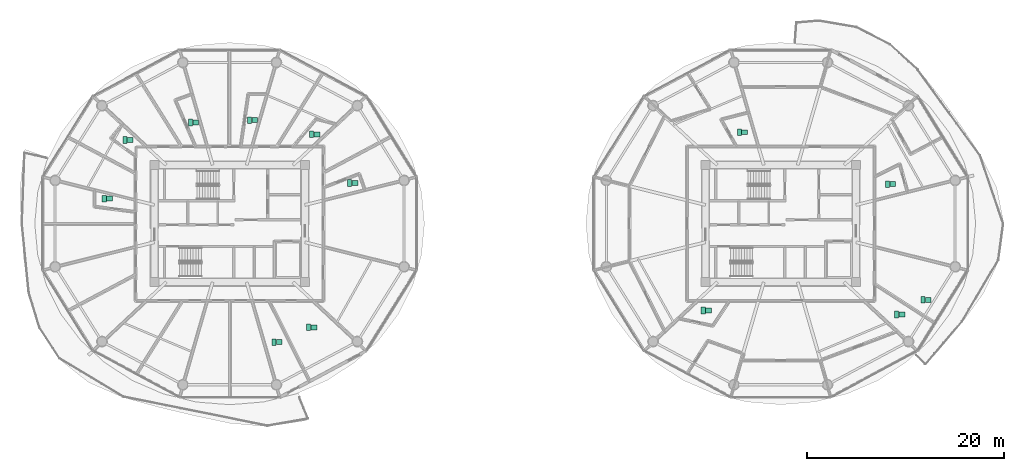
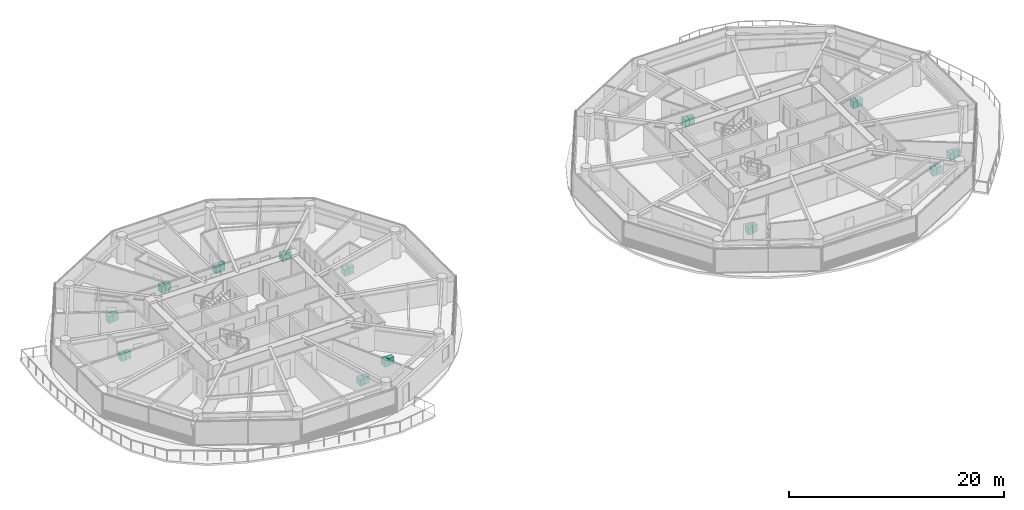
# One storey, part 31 of 31: 26 sanitary terminals.
"""IFC4 building model written with IfcOpenShell, lengths in metres."""

from ifc_helpers import new_model, si_unit, direction, frame, origin, origin_2d, place, context, subcontext, project, spatial, rectangle, extrude, source, transform, mapped, material, type_object, type_shapes, element, save


model = new_model("IFC4")

# Units and contexts
model_context = context("Model", 3, precision=1e-05, world=origin(), true_north=direction((0.0, 1.0)))
body_context = subcontext(model_context, "Body", "Model", "MODEL_VIEW")
ifc_project = project(units=[si_unit("LENGTHUNIT", "METRE"), si_unit("AREAUNIT", "SQUARE_METRE"), si_unit("VOLUMEUNIT", "CUBIC_METRE"), si_unit("PLANEANGLEUNIT", "RADIAN"), si_unit("MASSUNIT", "GRAM", prefix="KILO")], contexts=[model_context])

# Site, building, storey
site_placement = place(None, origin())
site = spatial("IfcSite", under=ifc_project, at=site_placement, CompositionType="ELEMENT")
building_placement = place(site_placement, origin())
building = spatial("IfcBuilding", under=site, at=building_placement, Name="Norrkilde Senior Care Towers", CompositionType="ELEMENT")
storey_placement = place(building_placement, frame((0.0, 0.0, 42.949951171875)))
storey = spatial("IfcBuildingStorey", under=building, at=storey_placement, Name="L12", CompositionType="ELEMENT", Elevation=42.949951171875)

# Sanitary terminals
ifc_material = material(Name="Porcelain Ceramic")
sanitary_terminal_type_1 = type_object("IfcSanitaryTerminalType", Name="Accessible Senior WC Suite", PredefinedType="TOILETPAN", material=ifc_material)
shared_shape_1 = source(origin(), body_context, "Body", "SweptSolid", [
    extrude(rectangle(XDim=0.419921875, YDim=0.679931640625, at=origin_2d()), origin(), (0.0, 0.0, 1.0), 0.780029296875),
])
type_shapes(sanitary_terminal_type_1, [shared_shape_1])
for number, where, z_axis, x_axis, name in (
    (1, (-31.96923828125, 10.277587890625, 0.0), (0.0, 0.0, 1.0), (1.0, 0.0, 0.0), "L12 Accessible WC Pan 0044"),
    (2, (-38.642578125, 8.492919921875, 0.0), (0.0, 0.0, 1.0), (1.0, 0.0, 0.0), "L12 Accessible WC Pan 0045"),
    (3, (-40.746826171875, 2.536865234375, 0.0), (0.0, 0.0, 1.0), (1.0, 0.0, 0.0), "L12 Accessible WC Pan 0046"),
    (4, (-23.48876953125, -12.048583984375, 0.0), (0.0, 0.0, 1.0), (1.0, 0.0, 0.0), "L12 Accessible WC Pan 0047"),
    (5, (-19.972900390625, -10.54150390625, 0.0), (0.0, 0.0, 1.0), (1.0, 0.0, 0.0), "L12 Accessible WC Pan 0048"),
    (6, (-15.811279296875, 4.117431640625, 0.0), (0.0, 0.0, 1.0), (1.0, 0.0, 0.0), "L12 Accessible WC Pan 0049"),
    (7, (-19.664306640625, 9.068359375, 0.0), (0.0, 0.0, 1.0), (1.0, 0.0, 0.0), "L12 Accessible WC Pan 0050"),
    (8, (-25.978759765625, 10.510498046875, 0.0), (0.0, 0.0, 1.0), (1.0, 0.0, 0.0), "L12 Accessible WC Pan 0051"),
    (9, (23.794677734375, 9.282470703125, 0.0), (0.0, 0.0, 1.0), (1.0, 0.0, 0.0), "L12 Accessible WC Pan 0052"),
    (10, (20.123779296875, -8.82666015625, 0.0), (0.0, 0.0, 1.0), (1.0, 0.0, 0.0), "L12 Accessible WC Pan 0053"),
    (11, (39.770751953125, -9.228271484375, 0.0), (0.0, 0.0, 1.0), (1.0, 0.0, 0.0), "L12 Accessible WC Pan 0054"),
    (12, (42.4580078125, -7.747802734375, 0.0), (0.0, 0.0, 1.0), (1.0, 0.0, 0.0), "L12 Accessible WC Pan 0055"),
    (13, (38.845947265625, 4.00537109375, 0.0), (0.0, 0.0, 1.0), (1.0, 0.0, 0.0), "L12 Accessible WC Pan 0056"),
):
    element("IfcSanitaryTerminal", number, at=place(storey_placement, frame(where, z_axis=z_axis, x_axis=x_axis)), inside=storey, type_object=sanitary_terminal_type_1, Name=name, PredefinedType="TOILETPAN", context=body_context, shape_type="MappedRepresentation", body=[
        mapped(shared_shape_1, transform((0.0, 0.0, 0.0), x_axis=(1.0, 0.0, 0.0), y_axis=(0.0, 1.0, 0.0), z_axis=(0.0, 0.0, 1.0), scale=1.0)),
    ])
sanitary_terminal_type_2 = type_object("IfcSanitaryTerminalType", Name="Thermostatic Care Washbasin", PredefinedType="WASHHANDBASIN", material=ifc_material)
shared_shape_2 = source(origin(), body_context, "Body", "SweptSolid", [
    extrude(rectangle(XDim=0.60009765625, YDim=0.5, at=origin_2d()), origin(), (0.0, 0.0, 1.0), 0.820068359375),
])
type_shapes(sanitary_terminal_type_2, [shared_shape_2])
for number, where, z_axis, x_axis, name in (
    (14, (-31.439208984375, 10.277587890625, 0.0), (0.0, 0.0, 1.0), (1.0, 0.0, 0.0), "L12 Accessible Washbasin 0044"),
    (15, (-38.11279296875, 8.492919921875, 0.0), (0.0, 0.0, 1.0), (1.0, 0.0, 0.0), "L12 Accessible Washbasin 0045"),
    (16, (-40.216796875, 2.536865234375, 0.0), (0.0, 0.0, 1.0), (1.0, 0.0, 0.0), "L12 Accessible Washbasin 0046"),
    (17, (-22.958740234375, -12.048583984375, 0.0), (0.0, 0.0, 1.0), (1.0, 0.0, 0.0), "L12 Accessible Washbasin 0047"),
    (18, (-19.443115234375, -10.54150390625, 0.0), (0.0, 0.0, 1.0), (1.0, 0.0, 0.0), "L12 Accessible Washbasin 0048"),
    (19, (-15.28125, 4.117431640625, 0.0), (0.0, 0.0, 1.0), (1.0, 0.0, 0.0), "L12 Accessible Washbasin 0049"),
    (20, (-19.134521484375, 9.068359375, 0.0), (0.0, 0.0, 1.0), (1.0, 0.0, 0.0), "L12 Accessible Washbasin 0050"),
    (21, (-25.44873046875, 10.510498046875, 0.0), (0.0, 0.0, 1.0), (1.0, 0.0, 0.0), "L12 Accessible Washbasin 0051"),
    (22, (24.32470703125, 9.282470703125, 0.0), (0.0, 0.0, 1.0), (1.0, 0.0, 0.0), "L12 Accessible Washbasin 0052"),
    (23, (20.65380859375, -8.82666015625, 0.0), (0.0, 0.0, 1.0), (1.0, 0.0, 0.0), "L12 Accessible Washbasin 0053"),
    (24, (40.30078125, -9.228271484375, 0.0), (0.0, 0.0, 1.0), (1.0, 0.0, 0.0), "L12 Accessible Washbasin 0054"),
    (25, (42.988037109375, -7.747802734375, 0.0), (0.0, 0.0, 1.0), (1.0, 0.0, 0.0), "L12 Accessible Washbasin 0055"),
    (26, (39.3759765625, 4.00537109375, 0.0), (0.0, 0.0, 1.0), (1.0, 0.0, 0.0), "L12 Accessible Washbasin 0056"),
):
    element("IfcSanitaryTerminal", number, at=place(storey_placement, frame(where, z_axis=z_axis, x_axis=x_axis)), inside=storey, type_object=sanitary_terminal_type_2, Name=name, PredefinedType="WASHHANDBASIN", context=body_context, shape_type="MappedRepresentation", body=[
        mapped(shared_shape_2, transform((0.0, 0.0, 0.0), x_axis=(1.0, 0.0, 0.0), y_axis=(0.0, 1.0, 0.0), z_axis=(0.0, 0.0, 1.0), scale=1.0)),
    ])

save(model, "model.ifc")
